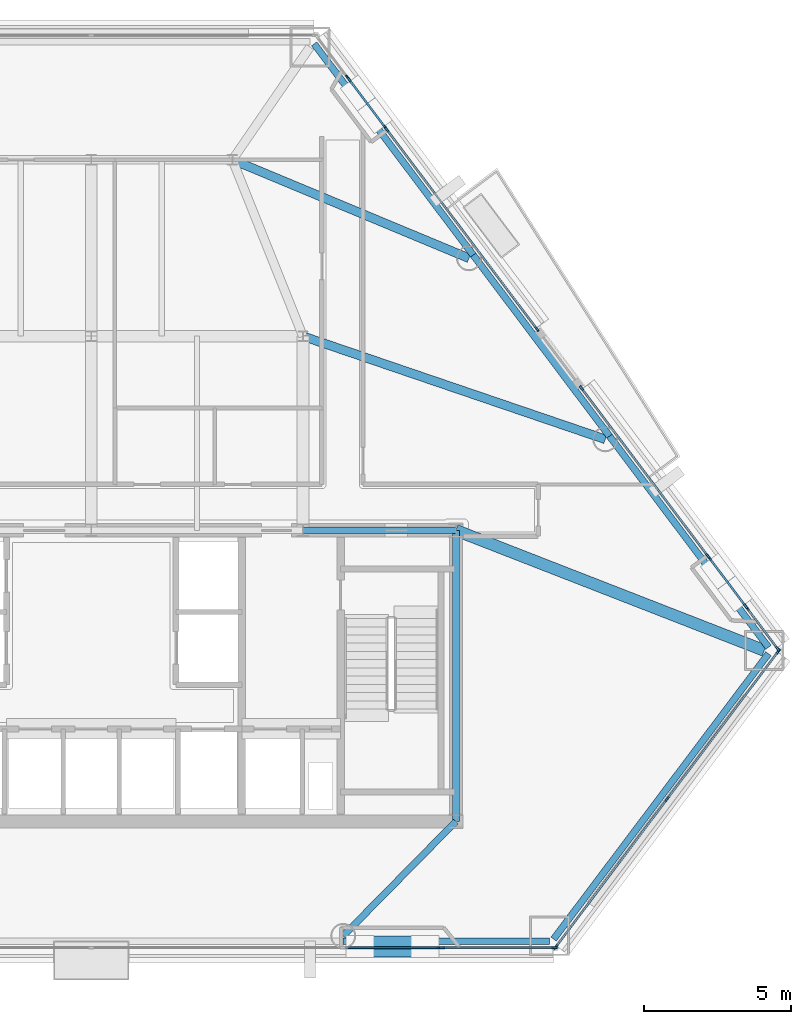
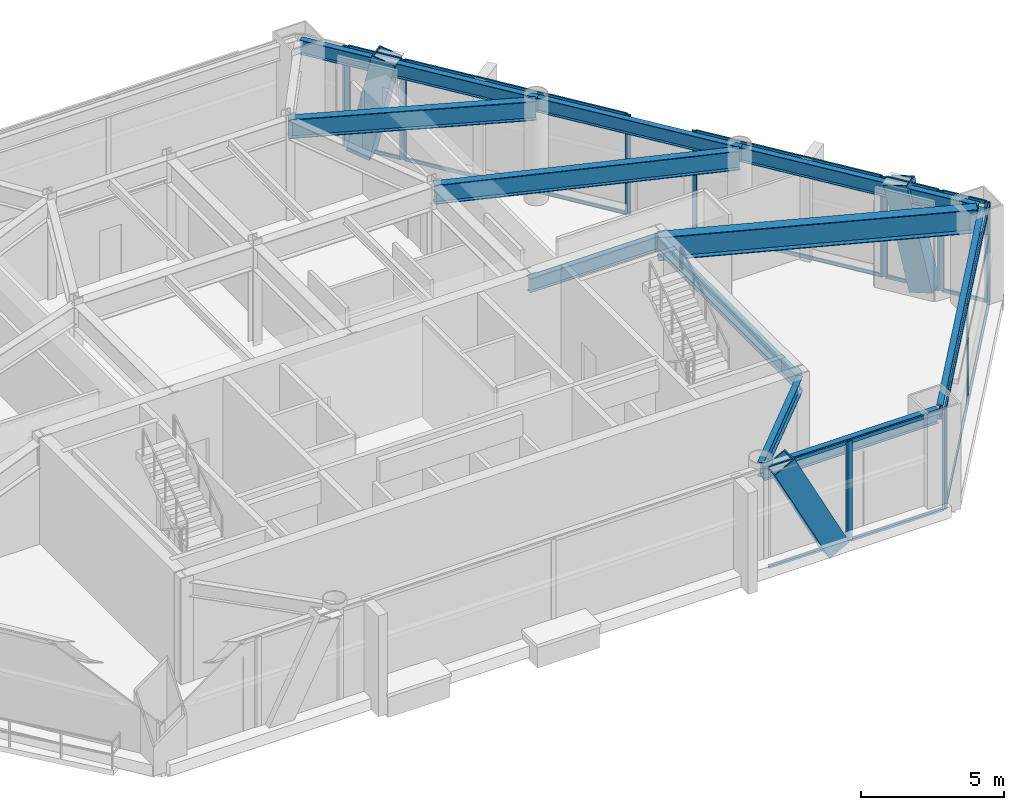
# One storey, part 4 of 10: 38 members, 11 beams, 9 elements without a shape of their own.
"""IFC4 building model written with IfcOpenShell, lengths in metres."""

from ifc_helpers import new_model, si_unit, direction, frame, origin, origin_2d, place, context, subcontext, project, spatial, rectangle, hollow_rectangle, i_section, extrude, material, layer, layer_set, material_profile, profile_set, type_object, element, aggregate, save


model = new_model("IFC4")

# Units and contexts
model_context = context("Model", 3, precision=1e-05, world=origin(), true_north=direction((0.0, 1.0)))
body_context = subcontext(model_context, "Body", "Model", "MODEL_VIEW")
ifc_project = project(units=[si_unit("LENGTHUNIT", "METRE"), si_unit("AREAUNIT", "SQUARE_METRE"), si_unit("VOLUMEUNIT", "CUBIC_METRE"), si_unit("PLANEANGLEUNIT", "RADIAN"), si_unit("MASSUNIT", "GRAM", prefix="KILO")], contexts=[model_context])

# Site, building, storey
site_placement = place(None, origin())
site = spatial("IfcSite", under=ifc_project, at=site_placement, CompositionType="ELEMENT")
building_placement = place(site_placement, origin())
building = spatial("IfcBuilding", under=site, at=building_placement, Name="Talgorran Terracotta Tower", CompositionType="ELEMENT")
storey_placement = place(building_placement, frame((0.0, 0.0, 60.300048828125)))
storey = spatial("IfcBuildingStorey", under=building, at=storey_placement, Name="L15", CompositionType="ELEMENT", Elevation=60.300048828125)

# Beams
ifc_material_1 = material(Name="Steel Grade 350 (350L0)", Category="steel")
ifc_material_profile_1 = material_profile(ifc_material_1, i_section(OverallWidth=0.39990234375, OverallDepth=1.0, WebThickness=0.01611328125, FlangeThickness=0.031005859375, at=origin_2d()), Name="1000WB296")
ifc_profile_set_1 = profile_set([ifc_material_profile_1], Name="Steel Grade 350 (350L0)")
beam_type_1 = type_object("IfcBeamType", Name="BM_1000WB296", PredefinedType="BEAM", material=ifc_profile_set_1)
beam_1_placement = place(storey_placement, frame((12.39990234375, -4.199951171875, 3.75), z_axis=(0.931733259181, -0.363143406571, 0.0), x_axis=(0.363143406571, 0.931733259181, 0.0)))
element("IfcBeam", 1, at=beam_1_placement, inside=storey, type_object=beam_type_1, Name="L15 Floor Girder G18", PredefinedType="BEAM", context=body_context, shape_type="SweptSolid", body=[
    extrude(i_section(OverallWidth=0.39990234375, OverallDepth=1.0, WebThickness=0.01611328125, FlangeThickness=0.031005859375, at=origin_2d()), origin(), (0.0, 0.0, 1.0), 11.253662109375),
])
ifc_material_2 = material(Name="Steel S355 (300PLUS)", Category="steel")
ifc_material_profile_2 = material_profile(ifc_material_2, i_section(OverallWidth=0.300048828125, OverallDepth=0.81591796875, WebThickness=0.013916015625, FlangeThickness=0.028076171875, at=origin_2d()), Name="800WB192")
ifc_profile_set_2 = profile_set([ifc_material_profile_2], Name="Steel S355 (300PLUS)")
beam_type_2 = type_object("IfcBeamType", Name="BM_800WB192", PredefinedType="BEAM", material=ifc_profile_set_2)
beam_2_placement = place(storey_placement, frame((7.199951171875, 2.39990234375, 3.842041015625), z_axis=(0.94650066869, -0.322701850274, 0.0), x_axis=(0.322701850274, 0.94650066869, 0.0)))
element("IfcBeam", 2, at=beam_2_placement, inside=storey, type_object=beam_type_2, Name="L15 Floor Girder G07", PredefinedType="BEAM", context=body_context, shape_type="SweptSolid", body=[
    extrude(i_section(OverallWidth=0.300048828125, OverallDepth=0.81591796875, WebThickness=0.013916015625, FlangeThickness=0.028076171875, at=origin_2d()), origin(), (0.0, 0.0, 1.0), 10.859619140625),
])
beam_3_placement = place(storey_placement, frame((4.800048828125, 8.39990234375, 3.842041015625), z_axis=(0.923207843364, -0.384301025177, 0.0), x_axis=(0.384301025177, 0.923207843364, 0.0)))
element("IfcBeam", 3, at=beam_3_placement, inside=storey, type_object=beam_type_2, Name="L15 Floor Girder G14", PredefinedType="BEAM", context=body_context, shape_type="SweptSolid", body=[
    extrude(i_section(OverallWidth=0.300048828125, OverallDepth=0.81591796875, WebThickness=0.013916015625, FlangeThickness=0.028076171875, at=origin_2d()), origin(), (0.0, 0.0, 1.0), 8.713623046875),
])
ifc_material_profile_3 = material_profile(ifc_material_2, i_section(OverallWidth=0.22900390625, OverallDepth=0.611572265625, WebThickness=0.011962890625, FlangeThickness=0.01953125, at=origin_2d()), Name="610UB125")
ifc_profile_set_3 = profile_set([ifc_material_profile_3], Name="Steel S355 (300PLUS)")
beam_type_3 = type_object("IfcBeamType", Name="BM_SP_610UB125", PredefinedType="SPANDREL", material=ifc_profile_set_3)
beam_4_placement = place(storey_placement, frame((8.56884765625, -18.171142578125, 3.944091796875), z_axis=(1.0, 0.0, 0.0), x_axis=(0.0, 1.0, 0.0)))
element("IfcBeam", 4, at=beam_4_placement, inside=storey, type_object=beam_type_3, Name="L15 Perimeter Spandrel Beam FC2-MC3", PredefinedType="SPANDREL", context=body_context, shape_type="SweptSolid", body=[
    extrude(i_section(OverallWidth=0.22900390625, OverallDepth=0.611572265625, WebThickness=0.011962890625, FlangeThickness=0.01953125, at=origin_2d()), origin(), (0.0, 0.0, 1.0), 7.0107421875),
])
beam_5_placement = place(storey_placement, frame((15.723388671875, -18.099365234375, 3.944091796875), z_axis=(0.601442935973, 0.798915761997, 0.0), x_axis=(-0.798915761997, 0.601442935973, 0.0)))
element("IfcBeam", 5, at=beam_5_placement, inside=storey, type_object=beam_type_3, Name="L15 Perimeter Spandrel Beam MC3-MC4", PredefinedType="SPANDREL", context=body_context, shape_type="SweptSolid", body=[
    extrude(i_section(OverallWidth=0.22900390625, OverallDepth=0.611572265625, WebThickness=0.011962890625, FlangeThickness=0.01953125, at=origin_2d()), origin(), (0.0, 0.0, 1.0), 12.14697265625),
])
beam_6_placement = place(storey_placement, frame((23.029052734375, -8.17822265625, 3.944091796875), z_axis=(-0.601446008666, 0.798913448791, 0.0), x_axis=(-0.798913448791, -0.601446008666, 0.0)))
element("IfcBeam", 6, at=beam_6_placement, inside=storey, type_object=beam_type_3, Name="L15 Perimeter Spandrel Beam MC4-FC3", PredefinedType="SPANDREL", context=body_context, shape_type="SweptSolid", body=[
    extrude(i_section(OverallWidth=0.22900390625, OverallDepth=0.611572265625, WebThickness=0.011962890625, FlangeThickness=0.01953125, at=origin_2d()), origin(), (0.0, 0.0, 1.0), 8.989501953125),
])
beam_7_placement = place(storey_placement, frame((17.622314453125, -0.996337890625, 3.944091796875), z_axis=(-0.601413481794, 0.798937934959, 0.0), x_axis=(-0.798937934959, -0.601413481794, 0.0)))
element("IfcBeam", 7, at=beam_7_placement, inside=storey, type_object=beam_type_3, Name="L15 Perimeter Spandrel Beam FC3-FC4", PredefinedType="SPANDREL", context=body_context, shape_type="SweptSolid", body=[
    extrude(i_section(OverallWidth=0.22900390625, OverallDepth=0.611572265625, WebThickness=0.011962890625, FlangeThickness=0.01953125, at=origin_2d()), origin(), (0.0, 0.0, 1.0), 7.705322265625),
])
beam_8_placement = place(storey_placement, frame((12.98828125, 5.15966796875, 3.944091796875), z_axis=(-0.601446008666, 0.798913448791, 0.0), x_axis=(-0.798913448791, -0.601446008666, 0.0)))
element("IfcBeam", 8, at=beam_8_placement, inside=storey, type_object=beam_type_3, Name="L15 Perimeter Spandrel Beam FC4-MC5", PredefinedType="SPANDREL", context=body_context, shape_type="SweptSolid", body=[
    extrude(i_section(OverallWidth=0.22900390625, OverallDepth=0.611572265625, WebThickness=0.011962890625, FlangeThickness=0.01953125, at=origin_2d()), origin(), (0.0, 0.0, 1.0), 8.989501953125),
])
beam_9_placement = place(storey_placement, frame((12.39990234375, -14.10009765625, 3.944091796875), z_axis=(-0.701586091596, -0.712584700985, 0.0), x_axis=(0.712584700985, -0.701586091596, 0.0)))
element("IfcBeam", 9, at=beam_9_placement, inside=storey, type_object=beam_type_3, Name="L15 South-East Core Tie Beam", PredefinedType="SPANDREL", context=body_context, shape_type="SweptSolid", body=[
    extrude(i_section(OverallWidth=0.22900390625, OverallDepth=0.611572265625, WebThickness=0.011962890625, FlangeThickness=0.01953125, at=origin_2d()), origin(), (0.0, 0.0, 1.0), 5.46044921875),
])
beam_10_placement = place(storey_placement, frame((12.39990234375, -14.10009765625, 3.944091796875), z_axis=(0.0, 1.0, 0.0), x_axis=(-1.0, 0.0, 0.0)))
element("IfcBeam", 10, at=beam_10_placement, inside=storey, type_object=beam_type_3, Name="L15 Core Frame Beam CFE", PredefinedType="SPANDREL", context=body_context, shape_type="SweptSolid", body=[
    extrude(i_section(OverallWidth=0.22900390625, OverallDepth=0.611572265625, WebThickness=0.011962890625, FlangeThickness=0.01953125, at=origin_2d()), origin(), (0.0, 0.0, 1.0), 9.900146484375),
])
beam_11_placement = place(storey_placement, frame((7.199951171875, -4.199951171875, 3.944091796875), z_axis=(1.0, 0.0, 0.0), x_axis=(0.0, 1.0, 0.0)))
element("IfcBeam", 11, at=beam_11_placement, inside=storey, type_object=beam_type_3, Name="L15 Core Frame Beam CFN4", PredefinedType="SPANDREL", context=body_context, shape_type="SweptSolid", body=[
    extrude(i_section(OverallWidth=0.22900390625, OverallDepth=0.611572265625, WebThickness=0.011962890625, FlangeThickness=0.01953125, at=origin_2d()), origin(), (0.0, 0.0, 1.0), 5.199951171875),
])

# Members
ifc_material_profile_4 = material_profile(ifc_material_1, hollow_rectangle(XDim=0.699951171875, YDim=0.89990234375, WallThickness=0.050048828125, at=origin_2d()), Name="WBOX900X700X50")
ifc_profile_set_4 = profile_set([ifc_material_profile_4], Name="Steel Grade 350 (350L0)")
member_type_1 = type_object("IfcMemberType", Name="MB_MEGA_900", PredefinedType="BRACE", material=ifc_profile_set_4)
member_1_placement = place(storey_placement, frame((11.3466796875, -18.35107421875, -0.025146484375), z_axis=(-0.456504313532, 0.0, 0.889721198875), x_axis=(0.0, -1.0, 0.0)))
element("IfcMember", 12, at=member_1_placement, inside=storey, type_object=member_type_1, Name="L15 Exterior Face Mega-Brace MB-1 (SEF)", PredefinedType="BRACE", context=body_context, shape_type="SweptSolid", body=[
    extrude(hollow_rectangle(XDim=0.699951171875, YDim=0.89990234375, WallThickness=0.050048828125, at=origin_2d()), origin(), (0.0, 0.0, 1.0), 4.8330078125),
])
for number, where, z_axis, x_axis, name in (
    (13, (21.889892578125, -6.365478515625, -0.025146484375), (-0.132000921247, 0.17526265834, 0.975632490942), (-0.798786555616, -0.601614526559, 0.0), "L15 Exterior Face Mega-Brace MB-1 (NEL)"),
    (14, (9.0634765625, 10.67236328125, -0.025146484375), (0.131946493077, -0.175263939587, 0.975639623245), (0.79890788085, 0.601453404609, 0.0), "L15 Exterior Face Mega-Brace MB-1 (NEU)"),
):
    element("IfcMember", number, at=place(storey_placement, frame(where, z_axis=z_axis, x_axis=x_axis)), inside=storey, type_object=member_type_1, Name=name, PredefinedType="BRACE", context=body_context, shape_type="SweptSolid", body=[
        extrude(hollow_rectangle(XDim=0.699951171875, YDim=0.89990234375, WallThickness=0.050048828125, at=origin_2d()), origin(), (0.0, 0.0, 1.0), 4.407470703125),
    ])

# Curtain wall, member
ifc_material_3 = material(Name="Unitised Low-E Double Glazing", Category="glass")
ifc_layer = layer(ifc_material_3, 0.199951171875, Name="CW_SYS2_RES_LOW")
ifc_layer_set = layer_set([ifc_layer], Name="Unitised Low-E Double Glazing")
curtain_wall_type = type_object("IfcCurtainWallType", Name="CW_SYS2_RES_LOW", PredefinedType="NOTDEFINED", material=ifc_layer_set)
curtain_wall_1_placement = place(storey_placement, origin())
curtain_wall_1 = element("IfcCurtainWall", 15, at=curtain_wall_1_placement, inside=storey, type_object=curtain_wall_type, Name="CW-L15-F1D", PredefinedType="NOTDEFINED")
ifc_material_4 = material(Name="Architectural Aluminium 6063-T6", Category="aluminium")
ifc_material_profile_5 = material_profile(ifc_material_4, rectangle(XDim=0.06494140625, YDim=0.18505859375, at=origin_2d()), Name="CWM65X185")
ifc_profile_set_5 = profile_set([ifc_material_profile_5], Name="Architectural Aluminium 6063-T6")
member_type_2 = type_object("IfcMemberType", Name="MUL_65X185", PredefinedType="MULLION", material=ifc_profile_set_5)
member_2_placement = place(storey_placement, frame((11.859619140625, -18.39111328125, 0.0), z_axis=(0.0, 0.0, 1.0), x_axis=(0.0, 1.0, 0.0)))
member_2 = element("IfcMember", 16, at=member_2_placement, type_object=member_type_2, Name="CW-L15-1D mullion 2", PredefinedType="MULLION", context=body_context, shape_type="SweptSolid", body=[
    extrude(rectangle(XDim=0.06494140625, YDim=0.18505859375, at=origin_2d()), origin(), (0.0, 0.0, 1.0), 4.25),
])

# Curtain wall, members
curtain_wall_2_placement = place(storey_placement, origin())
curtain_wall_2 = element("IfcCurtainWall", 17, at=curtain_wall_2_placement, inside=storey, type_object=curtain_wall_type, Name="CW-L15-F1E", PredefinedType="NOTDEFINED")
member_3_placement = place(storey_placement, frame((11.9345703125, -18.39111328125, 0.0), z_axis=(0.0, 0.0, 1.0), x_axis=(0.0, 1.0, 0.0)))
member_3 = element("IfcMember", 18, at=member_3_placement, type_object=member_type_2, Name="CW-L15-1E mullion 1", PredefinedType="MULLION", context=body_context, shape_type="SweptSolid", body=[
    extrude(rectangle(XDim=0.06494140625, YDim=0.18505859375, at=origin_2d()), origin(), (0.0, 0.0, 1.0), 4.25),
])
member_4_placement = place(storey_placement, frame((15.74658203125, -18.39111328125, 0.0), z_axis=(0.0, 0.0, 1.0), x_axis=(0.0, 1.0, 0.0)))
member_4 = element("IfcMember", 19, at=member_4_placement, type_object=member_type_2, Name="CW-L15-1E mullion 2", PredefinedType="MULLION", context=body_context, shape_type="SweptSolid", body=[
    extrude(rectangle(XDim=0.06494140625, YDim=0.18505859375, at=origin_2d()), origin(), (0.0, 0.0, 1.0), 4.25),
])

curtain_wall_3_placement = place(storey_placement, origin())
curtain_wall_3 = element("IfcCurtainWall", 20, at=curtain_wall_3_placement, inside=storey, type_object=curtain_wall_type, Name="CW-L15-F2", PredefinedType="NOTDEFINED")
member_5_placement = place(storey_placement, frame((15.798583984375, -18.365234375, 0.0), z_axis=(0.0, 0.0, 1.0), x_axis=(-0.798916134657, 0.601442440957, 0.0)))
member_5 = element("IfcMember", 21, at=member_5_placement, type_object=member_type_2, Name="CW-L15-2 mullion 1", PredefinedType="MULLION", context=body_context, shape_type="SweptSolid", body=[
    extrude(rectangle(XDim=0.06494140625, YDim=0.18505859375, at=origin_2d()), origin(), (0.0, 0.0, 1.0), 4.25),
])
member_6_placement = place(storey_placement, frame((19.58251953125, -13.3388671875, 0.0), z_axis=(0.0, 0.0, 1.0), x_axis=(-0.798916134657, 0.601442440957, 0.0)))
member_6 = element("IfcMember", 22, at=member_6_placement, type_object=member_type_2, Name="CW-L15-2 mullion 2", PredefinedType="MULLION", context=body_context, shape_type="SweptSolid", body=[
    extrude(rectangle(XDim=0.06494140625, YDim=0.18505859375, at=origin_2d()), origin(), (0.0, 0.0, 1.0), 4.25),
])
member_7_placement = place(storey_placement, frame((23.366455078125, -8.3125, 0.0), z_axis=(0.0, 0.0, 1.0), x_axis=(-0.798916134657, 0.601442440957, 0.0)))
member_7 = element("IfcMember", 23, at=member_7_placement, type_object=member_type_2, Name="CW-L15-2 mullion 3", PredefinedType="MULLION", context=body_context, shape_type="SweptSolid", body=[
    extrude(rectangle(XDim=0.06494140625, YDim=0.18505859375, at=origin_2d()), origin(), (0.0, 0.0, 1.0), 4.25),
])

curtain_wall_4_placement = place(storey_placement, origin())
curtain_wall_4 = element("IfcCurtainWall", 24, at=curtain_wall_4_placement, inside=storey, type_object=curtain_wall_type, Name="CW-L15-F40", PredefinedType="NOTDEFINED")
member_8_placement = place(storey_placement, frame((23.34228515625, -8.228515625, 0.0), z_axis=(0.0, 0.0, 1.0), x_axis=(-0.798905620305, -0.601456407269, 0.0)))
member_8 = element("IfcMember", 25, at=member_8_placement, type_object=member_type_2, Name="CW-L15-40 mullion 1", PredefinedType="MULLION", context=body_context, shape_type="SweptSolid", body=[
    extrude(rectangle(XDim=0.06494140625, YDim=0.18505859375, at=origin_2d()), origin(), (0.0, 0.0, 1.0), 4.25),
])
member_9_placement = place(storey_placement, frame((22.298583984375, -6.84228515625, 0.0), z_axis=(0.0, 0.0, 1.0), x_axis=(-0.798905620305, -0.601456407269, 0.0)))
member_9 = element("IfcMember", 26, at=member_9_placement, type_object=member_type_2, Name="CW-L15-40 mullion 2", PredefinedType="MULLION", context=body_context, shape_type="SweptSolid", body=[
    extrude(rectangle(XDim=0.06494140625, YDim=0.18505859375, at=origin_2d()), origin(), (0.0, 0.0, 1.0), 4.25),
])

curtain_wall_5_placement = place(storey_placement, origin())
curtain_wall_5 = element("IfcCurtainWall", 27, at=curtain_wall_5_placement, inside=storey, type_object=curtain_wall_type, Name="CW-L15-F40B", PredefinedType="NOTDEFINED")
member_10_placement = place(storey_placement, frame((22.25341796875, -6.7822265625, 0.0), z_axis=(0.0, 0.0, 1.0), x_axis=(-0.798930868985, -0.601422868358, 0.0)))
member_10 = element("IfcMember", 28, at=member_10_placement, type_object=member_type_2, Name="CW-L15-40B mullion 1", PredefinedType="MULLION", context=body_context, shape_type="SweptSolid", body=[
    extrude(rectangle(XDim=0.06494140625, YDim=0.18505859375, at=origin_2d()), origin(), (0.0, 0.0, 1.0), 4.25),
])
member_11_placement = place(storey_placement, frame((21.008544921875, -5.12841796875, 0.0), z_axis=(0.0, 0.0, 1.0), x_axis=(-0.798930868985, -0.601422868358, 0.0)))
member_11 = element("IfcMember", 29, at=member_11_placement, type_object=member_type_2, Name="CW-L15-40B mullion 2", PredefinedType="MULLION", context=body_context, shape_type="SweptSolid", body=[
    extrude(rectangle(XDim=0.06494140625, YDim=0.18505859375, at=origin_2d()), origin(), (0.0, 0.0, 1.0), 4.25),
])

curtain_wall_6_placement = place(storey_placement, origin())
curtain_wall_6 = element("IfcCurtainWall", 30, at=curtain_wall_6_placement, inside=storey, type_object=curtain_wall_type, Name="CW-L15-F40C", PredefinedType="NOTDEFINED")
member_12_placement = place(storey_placement, frame((20.96337890625, -5.068359375, 0.0), z_axis=(0.0, 0.0, 1.0), x_axis=(-0.798915364428, -0.601443464077, 0.0)))
member_12 = element("IfcMember", 31, at=member_12_placement, type_object=member_type_2, Name="CW-L15-40C mullion 1", PredefinedType="MULLION", context=body_context, shape_type="SweptSolid", body=[
    extrude(rectangle(XDim=0.06494140625, YDim=0.18505859375, at=origin_2d()), origin(), (0.0, 0.0, 1.0), 4.25),
])
member_13_placement = place(storey_placement, frame((16.672119140625, 0.6318359375, 0.0), z_axis=(0.0, 0.0, 1.0), x_axis=(-0.798915364428, -0.601443464077, 0.0)))
member_13 = element("IfcMember", 32, at=member_13_placement, type_object=member_type_2, Name="CW-L15-40C mullion 2", PredefinedType="MULLION", context=body_context, shape_type="SweptSolid", body=[
    extrude(rectangle(XDim=0.06494140625, YDim=0.18505859375, at=origin_2d()), origin(), (0.0, 0.0, 1.0), 4.25),
])

curtain_wall_7_placement = place(storey_placement, origin())
curtain_wall_7 = element("IfcCurtainWall", 33, at=curtain_wall_7_placement, inside=storey, type_object=curtain_wall_type, Name="CW-L15-F41", PredefinedType="NOTDEFINED")
member_14_placement = place(storey_placement, frame((15.153564453125, 2.649169921875, 0.0), z_axis=(0.0, 0.0, 1.0), x_axis=(-0.798918669712, -0.601439073544, 0.0)))
member_14 = element("IfcMember", 34, at=member_14_placement, type_object=member_type_2, Name="CW-L15-41 mullion 1", PredefinedType="MULLION", context=body_context, shape_type="SweptSolid", body=[
    extrude(rectangle(XDim=0.06494140625, YDim=0.18505859375, at=origin_2d()), origin(), (0.0, 0.0, 1.0), 4.25),
])
member_15_placement = place(storey_placement, frame((10.0537109375, 9.42333984375, 0.0), z_axis=(0.0, 0.0, 1.0), x_axis=(-0.798918669712, -0.601439073544, 0.0)))
member_15 = element("IfcMember", 35, at=member_15_placement, type_object=member_type_2, Name="CW-L15-41 mullion 2", PredefinedType="MULLION", context=body_context, shape_type="SweptSolid", body=[
    extrude(rectangle(XDim=0.06494140625, YDim=0.18505859375, at=origin_2d()), origin(), (0.0, 0.0, 1.0), 4.25),
])

curtain_wall_8_placement = place(storey_placement, origin())
curtain_wall_8 = element("IfcCurtainWall", 36, at=curtain_wall_8_placement, inside=storey, type_object=curtain_wall_type, Name="CW-L15-F41B", PredefinedType="NOTDEFINED")
member_16_placement = place(storey_placement, frame((10.008544921875, 9.483154296875, 0.0), z_axis=(0.0, 0.0, 1.0), x_axis=(-0.798930868985, -0.601422868358, 0.0)))
member_16 = element("IfcMember", 37, at=member_16_placement, type_object=member_type_2, Name="CW-L15-41B mullion 1", PredefinedType="MULLION", context=body_context, shape_type="SweptSolid", body=[
    extrude(rectangle(XDim=0.06494140625, YDim=0.18505859375, at=origin_2d()), origin(), (0.0, 0.0, 1.0), 4.25),
])
member_17_placement = place(storey_placement, frame((8.763671875, 11.136962890625, 0.0), z_axis=(0.0, 0.0, 1.0), x_axis=(-0.798930868985, -0.601422868358, 0.0)))
member_17 = element("IfcMember", 38, at=member_17_placement, type_object=member_type_2, Name="CW-L15-41B mullion 2", PredefinedType="MULLION", context=body_context, shape_type="SweptSolid", body=[
    extrude(rectangle(XDim=0.06494140625, YDim=0.18505859375, at=origin_2d()), origin(), (0.0, 0.0, 1.0), 4.25),
])

# Curtain wall, member
curtain_wall_9_placement = place(storey_placement, origin())
curtain_wall_9 = element("IfcCurtainWall", 39, at=curtain_wall_9_placement, inside=storey, type_object=curtain_wall_type, Name="CW-L15-F41C", PredefinedType="NOTDEFINED")
member_18_placement = place(storey_placement, frame((8.718505859375, 11.197021484375, 0.0), z_axis=(0.0, 0.0, 1.0), x_axis=(-0.798906133428, -0.601455725695, 0.0)))
member_18 = element("IfcMember", 40, at=member_18_placement, type_object=member_type_2, Name="CW-L15-41C mullion 1", PredefinedType="MULLION", context=body_context, shape_type="SweptSolid", body=[
    extrude(rectangle(XDim=0.06494140625, YDim=0.18505859375, at=origin_2d()), origin(), (0.0, 0.0, 1.0), 4.25),
])
aggregate(curtain_wall_9, [member_18])

# Member
ifc_material_profile_6 = material_profile(ifc_material_4, rectangle(XDim=0.06494140625, YDim=0.14990234375, at=origin_2d()), Name="CWT65X150")
ifc_profile_set_6 = profile_set([ifc_material_profile_6], Name="Architectural Aluminium 6063-T6")
member_type_3 = type_object("IfcMemberType", Name="TRN_65X150", PredefinedType="USERDEFINED", material=ifc_profile_set_6)
member_19_placement = place(storey_placement, frame((8.659912109375, -18.39111328125, 0.032470703125), z_axis=(1.0, 0.0, 0.0), x_axis=(0.0, 1.0, 0.0)))
member_19 = element("IfcMember", 41, at=member_19_placement, type_object=member_type_3, Name="CW-L15-1D transom 1.1", ObjectType="TRANSOM", PredefinedType="USERDEFINED", context=body_context, shape_type="SweptSolid", body=[
    extrude(rectangle(XDim=0.06494140625, YDim=0.14990234375, at=origin_2d()), origin(), (0.0, 0.0, 1.0), 3.1669921875),
])

member_20_placement = place(storey_placement, frame((8.659912109375, -18.39111328125, 4.217529296875), z_axis=(1.0, 0.0, 0.0), x_axis=(0.0, 1.0, 0.0)))
member_20 = element("IfcMember", 42, at=member_20_placement, type_object=member_type_3, Name="CW-L15-1D transom 1.2", ObjectType="TRANSOM", PredefinedType="USERDEFINED", context=body_context, shape_type="SweptSolid", body=[
    extrude(rectangle(XDim=0.06494140625, YDim=0.14990234375, at=origin_2d()), origin(), (0.0, 0.0, 1.0), 3.1669921875),
])

aggregate(curtain_wall_1, [member_2, member_19, member_20])

member_21_placement = place(storey_placement, frame((11.967041015625, -18.39111328125, 0.032470703125), z_axis=(1.0, 0.0, 0.0), x_axis=(0.0, 1.0, 0.0)))
member_21 = element("IfcMember", 43, at=member_21_placement, type_object=member_type_3, Name="CW-L15-1E transom 1.1", ObjectType="TRANSOM", PredefinedType="USERDEFINED", context=body_context, shape_type="SweptSolid", body=[
    extrude(rectangle(XDim=0.06494140625, YDim=0.14990234375, at=origin_2d()), origin(), (0.0, 0.0, 1.0), 3.7470703125),
])

member_22_placement = place(storey_placement, frame((11.967041015625, -18.39111328125, 4.217529296875), z_axis=(1.0, 0.0, 0.0), x_axis=(0.0, 1.0, 0.0)))
member_22 = element("IfcMember", 44, at=member_22_placement, type_object=member_type_3, Name="CW-L15-1E transom 1.2", ObjectType="TRANSOM", PredefinedType="USERDEFINED", context=body_context, shape_type="SweptSolid", body=[
    extrude(rectangle(XDim=0.06494140625, YDim=0.14990234375, at=origin_2d()), origin(), (0.0, 0.0, 1.0), 3.7470703125),
])

aggregate(curtain_wall_2, [member_3, member_4, member_21, member_22])

member_23_placement = place(storey_placement, frame((15.818115234375, -18.339111328125, 0.032470703125), z_axis=(0.601448231675, 0.798911775238, 0.0), x_axis=(-0.798911775238, 0.601448231675, 0.0)))
member_23 = element("IfcMember", 45, at=member_23_placement, type_object=member_type_3, Name="CW-L15-2 transom 1.1", ObjectType="TRANSOM", PredefinedType="USERDEFINED", context=body_context, shape_type="SweptSolid", body=[
    extrude(rectangle(XDim=0.06494140625, YDim=0.14990234375, at=origin_2d()), origin(), (0.0, 0.0, 1.0), 6.226318359375),
])

member_24_placement = place(storey_placement, frame((15.818115234375, -18.339111328125, 4.217529296875), z_axis=(0.601448231675, 0.798911775238, 0.0), x_axis=(-0.798911775238, 0.601448231675, 0.0)))
member_24 = element("IfcMember", 46, at=member_24_placement, type_object=member_type_3, Name="CW-L15-2 transom 1.2", ObjectType="TRANSOM", PredefinedType="USERDEFINED", context=body_context, shape_type="SweptSolid", body=[
    extrude(rectangle(XDim=0.06494140625, YDim=0.14990234375, at=origin_2d()), origin(), (0.0, 0.0, 1.0), 6.226318359375),
])

member_25_placement = place(storey_placement, frame((19.60205078125, -13.31298828125, 0.032470703125), z_axis=(0.601448231675, 0.798911775238, 0.0), x_axis=(-0.798911775238, 0.601448231675, 0.0)))
member_25 = element("IfcMember", 47, at=member_25_placement, type_object=member_type_3, Name="CW-L15-2 transom 2.1", ObjectType="TRANSOM", PredefinedType="USERDEFINED", context=body_context, shape_type="SweptSolid", body=[
    extrude(rectangle(XDim=0.06494140625, YDim=0.14990234375, at=origin_2d()), origin(), (0.0, 0.0, 1.0), 6.226318359375),
])

member_26_placement = place(storey_placement, frame((19.60205078125, -13.31298828125, 4.217529296875), z_axis=(0.601448231675, 0.798911775238, 0.0), x_axis=(-0.798911775238, 0.601448231675, 0.0)))
member_26 = element("IfcMember", 48, at=member_26_placement, type_object=member_type_3, Name="CW-L15-2 transom 2.2", ObjectType="TRANSOM", PredefinedType="USERDEFINED", context=body_context, shape_type="SweptSolid", body=[
    extrude(rectangle(XDim=0.06494140625, YDim=0.14990234375, at=origin_2d()), origin(), (0.0, 0.0, 1.0), 6.226318359375),
])

aggregate(curtain_wall_3, [member_5, member_6, member_7, member_23, member_24, member_25, member_26])

member_27_placement = place(storey_placement, frame((23.32275390625, -8.20263671875, 0.032470703125), z_axis=(-0.601448923038, 0.798911254757, 0.0), x_axis=(-0.798911254757, -0.601448923038, 0.0)))
member_27 = element("IfcMember", 49, at=member_27_placement, type_object=member_type_3, Name="CW-L15-40 transom 1.1", ObjectType="TRANSOM", PredefinedType="USERDEFINED", context=body_context, shape_type="SweptSolid", body=[
    extrude(rectangle(XDim=0.06494140625, YDim=0.14990234375, at=origin_2d()), origin(), (0.0, 0.0, 1.0), 1.67041015625),
])

member_28_placement = place(storey_placement, frame((23.32275390625, -8.20263671875, 4.217529296875), z_axis=(-0.601448923038, 0.798911254757, 0.0), x_axis=(-0.798911254757, -0.601448923038, 0.0)))
member_28 = element("IfcMember", 50, at=member_28_placement, type_object=member_type_3, Name="CW-L15-40 transom 1.2", ObjectType="TRANSOM", PredefinedType="USERDEFINED", context=body_context, shape_type="SweptSolid", body=[
    extrude(rectangle(XDim=0.06494140625, YDim=0.14990234375, at=origin_2d()), origin(), (0.0, 0.0, 1.0), 1.67041015625),
])

aggregate(curtain_wall_4, [member_8, member_9, member_27, member_28])

member_29_placement = place(storey_placement, frame((22.23388671875, -6.75634765625, 0.032470703125), z_axis=(-0.601362818016, 0.798976070423, 0.0), x_axis=(-0.798976070423, -0.601362818016, 0.0)))
member_29 = element("IfcMember", 51, at=member_29_placement, type_object=member_type_3, Name="CW-L15-40B transom 1.1", ObjectType="TRANSOM", PredefinedType="USERDEFINED", context=body_context, shape_type="SweptSolid", body=[
    extrude(rectangle(XDim=0.06494140625, YDim=0.14990234375, at=origin_2d()), origin(), (0.0, 0.0, 1.0), 2.005126953125),
])

member_30_placement = place(storey_placement, frame((22.23388671875, -6.75634765625, 4.217529296875), z_axis=(-0.601362818016, 0.798976070423, 0.0), x_axis=(-0.798976070423, -0.601362818016, 0.0)))
member_30 = element("IfcMember", 52, at=member_30_placement, type_object=member_type_3, Name="CW-L15-40B transom 1.2", ObjectType="TRANSOM", PredefinedType="USERDEFINED", context=body_context, shape_type="SweptSolid", body=[
    extrude(rectangle(XDim=0.06494140625, YDim=0.14990234375, at=origin_2d()), origin(), (0.0, 0.0, 1.0), 2.005126953125),
])

aggregate(curtain_wall_5, [member_10, member_11, member_29, member_30])

member_31_placement = place(storey_placement, frame((20.94384765625, -5.04248046875, 0.032470703125), z_axis=(-0.601435544079, 0.798921326739, 0.0), x_axis=(-0.798921326739, -0.601435544079, 0.0)))
member_31 = element("IfcMember", 53, at=member_31_placement, type_object=member_type_3, Name="CW-L15-40C transom 1.1", ObjectType="TRANSOM", PredefinedType="USERDEFINED", context=body_context, shape_type="SweptSolid", body=[
    extrude(rectangle(XDim=0.06494140625, YDim=0.14990234375, at=origin_2d()), origin(), (0.0, 0.0, 1.0), 7.070068359375),
])

member_32_placement = place(storey_placement, frame((20.94384765625, -5.04248046875, 4.217529296875), z_axis=(-0.601435544079, 0.798921326739, 0.0), x_axis=(-0.798921326739, -0.601435544079, 0.0)))
member_32 = element("IfcMember", 54, at=member_32_placement, type_object=member_type_3, Name="CW-L15-40C transom 1.2", ObjectType="TRANSOM", PredefinedType="USERDEFINED", context=body_context, shape_type="SweptSolid", body=[
    extrude(rectangle(XDim=0.06494140625, YDim=0.14990234375, at=origin_2d()), origin(), (0.0, 0.0, 1.0), 7.070068359375),
])

aggregate(curtain_wall_6, [member_12, member_13, member_31, member_32])

member_33_placement = place(storey_placement, frame((15.1337890625, 2.675048828125, 0.032470703125), z_axis=(-0.601438209692, 0.798919320033, 0.0), x_axis=(-0.798919320033, -0.601438209692, 0.0)))
member_33 = element("IfcMember", 55, at=member_33_placement, type_object=member_type_3, Name="CW-L15-41 transom 1.1", ObjectType="TRANSOM", PredefinedType="USERDEFINED", context=body_context, shape_type="SweptSolid", body=[
    extrude(rectangle(XDim=0.06494140625, YDim=0.14990234375, at=origin_2d()), origin(), (0.0, 0.0, 1.0), 8.4140625),
])

member_34_placement = place(storey_placement, frame((15.1337890625, 2.675048828125, 4.217529296875), z_axis=(-0.601438209692, 0.798919320033, 0.0), x_axis=(-0.798919320033, -0.601438209692, 0.0)))
member_34 = element("IfcMember", 56, at=member_34_placement, type_object=member_type_3, Name="CW-L15-41 transom 1.2", ObjectType="TRANSOM", PredefinedType="USERDEFINED", context=body_context, shape_type="SweptSolid", body=[
    extrude(rectangle(XDim=0.06494140625, YDim=0.14990234375, at=origin_2d()), origin(), (0.0, 0.0, 1.0), 8.4140625),
])

aggregate(curtain_wall_7, [member_14, member_15, member_33, member_34])

member_35_placement = place(storey_placement, frame((9.989013671875, 9.509033203125, 0.032470703125), z_axis=(-0.601362818016, 0.798976070423, 0.0), x_axis=(-0.798976070423, -0.601362818016, 0.0)))
member_35 = element("IfcMember", 57, at=member_35_placement, type_object=member_type_3, Name="CW-L15-41B transom 1.1", ObjectType="TRANSOM", PredefinedType="USERDEFINED", context=body_context, shape_type="SweptSolid", body=[
    extrude(rectangle(XDim=0.06494140625, YDim=0.14990234375, at=origin_2d()), origin(), (0.0, 0.0, 1.0), 2.005126953125),
])

member_36_placement = place(storey_placement, frame((9.989013671875, 9.509033203125, 4.217529296875), z_axis=(-0.601362818016, 0.798976070423, 0.0), x_axis=(-0.798976070423, -0.601362818016, 0.0)))
member_36 = element("IfcMember", 58, at=member_36_placement, type_object=member_type_3, Name="CW-L15-41B transom 1.2", ObjectType="TRANSOM", PredefinedType="USERDEFINED", context=body_context, shape_type="SweptSolid", body=[
    extrude(rectangle(XDim=0.06494140625, YDim=0.14990234375, at=origin_2d()), origin(), (0.0, 0.0, 1.0), 2.005126953125),
])

aggregate(curtain_wall_8, [member_16, member_17, member_35, member_36])

save(model, "model.ifc")
